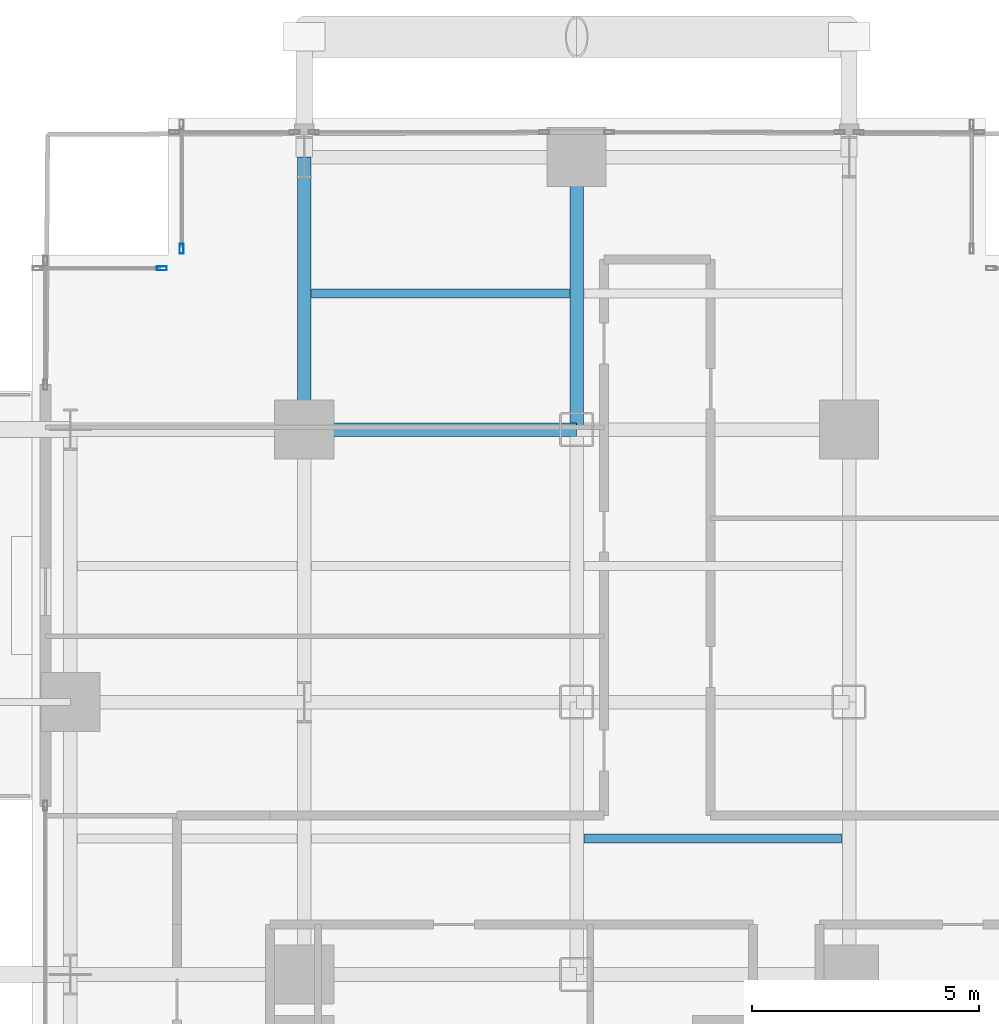
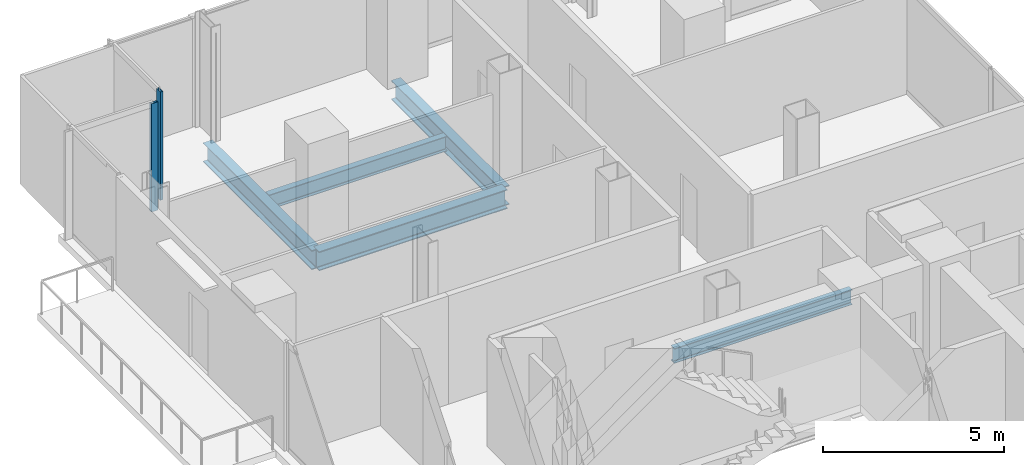
# One storey, part 14 of 27: 5 beams, 2 members, 2 elements without a shape of their own.
"""IFC4 building model written with IfcOpenShell, lengths in metres."""

from ifc_helpers import new_model, si_unit, direction, frame, origin, origin_2d, place, context, subcontext, project, spatial, hollow_rectangle, i_section, extrude, material, layer, layer_set, material_profile, profile_set, type_object, element, aggregate, save


model = new_model("IFC4")

# Units and contexts
model_context = context("Model", 3, precision=1e-05, world=origin(), true_north=direction((0.0, 1.0)))
body_context = subcontext(model_context, "Body", "Model", "MODEL_VIEW")
ifc_project = project(units=[si_unit("LENGTHUNIT", "METRE"), si_unit("AREAUNIT", "SQUARE_METRE"), si_unit("VOLUMEUNIT", "CUBIC_METRE"), si_unit("PLANEANGLEUNIT", "RADIAN"), si_unit("MASSUNIT", "GRAM", prefix="KILO"), si_unit("THERMODYNAMICTEMPERATUREUNIT", "KELVIN"), si_unit("POWERUNIT", "WATT")], contexts=[model_context])

# Site, building, storey
site_placement = place(None, origin())
site = spatial("IfcSite", under=ifc_project, at=site_placement, CompositionType="ELEMENT")
building_placement = place(site_placement, origin())
building = spatial("IfcBuilding", under=site, at=building_placement, Name="Svarakhadi Broadcast Tower", CompositionType="ELEMENT")
storey_placement = place(building_placement, frame((0.0, 0.0, 87.0)))
storey = spatial("IfcBuildingStorey", under=building, at=storey_placement, Name="L20", CompositionType="ELEMENT", Elevation=87.0)

# Beams
ifc_material_1 = material(Name="Steel S355J2 (IS 2062 E350C)", Category="steel")
ifc_material_profile_1 = material_profile(ifc_material_1, i_section(OverallWidth=0.199951171875, OverallDepth=0.5, WebThickness=0.01025390625, FlangeThickness=0.01611328125, FilletRadius=0.02099609375, at=origin_2d()), Name="NPB 500x200x91")
ifc_profile_set_1 = profile_set([ifc_material_profile_1], Name="Steel S355J2 (IS 2062 E350C)")
beam_type_1 = type_object("IfcBeamType", Name="Beam_NPB500", PredefinedType="BEAM", material=ifc_profile_set_1)
for number, where, z_axis, x_axis, name in (
    (1, (6.159912109375, 44.14990234375, -0.5), (1.0, 0.0, 0.0), (0.0, 1.0, 0.0), "L20 Secondary Composite Beam SB012"),
    (2, (12.159912109375, 32.14990234375, -0.5), (1.0, 0.0, 0.0), (0.0, 1.0, 0.0), "L20 Secondary Composite Beam SB016"),
):
    element("IfcBeam", number, at=place(storey_placement, frame(where, z_axis=z_axis, x_axis=x_axis)), inside=storey, type_object=beam_type_1, Name=name, PredefinedType="BEAM", context=body_context, shape_type="SweptSolid", body=[
        extrude(i_section(OverallWidth=0.199951171875, OverallDepth=0.5, WebThickness=0.01025390625, FlangeThickness=0.01611328125, FilletRadius=0.02099609375, at=origin_2d()), origin(), (0.0, 0.0, 1.0), 5.68017578125),
    ])

# Curtain wall, member
ifc_material_2 = material(Name="Anodised Bronze Aluminium AA 6063-T6", Category="aluminium")
ifc_layer = layer(ifc_material_2, 0.219970703125)
ifc_layer_set = layer_set([ifc_layer], Name="Anodised Bronze Aluminium AA 6063-T6")
curtain_wall_type = type_object("IfcCurtainWallType", Name="CW_Sys_02", PredefinedType="NOTDEFINED", material=ifc_layer_set)
curtain_wall_1_placement = place(storey_placement, origin())
curtain_wall_1 = element("IfcCurtainWall", 3, at=curtain_wall_1_placement, inside=storey, type_object=curtain_wall_type, Name="L20 Unitised Facade Curtain Wall 04", PredefinedType="NOTDEFINED")
ifc_material_profile_2 = material_profile(ifc_material_2, hollow_rectangle(XDim=0.0849609375, YDim=0.219970703125, WallThickness=0.006103515625, at=origin_2d()), Name="ALU MULLION 220x85x6")
ifc_profile_set_2 = profile_set([ifc_material_profile_2], Name="Anodised Bronze Aluminium AA 6063-T6")
member_type = type_object("IfcMemberType", Name="CW_Sys_02_Mul", PredefinedType="MULLION", material=ifc_profile_set_2)
member_1_placement = place(storey_placement, frame((2.867431640625, 44.699951171875, 0.0), z_axis=(0.0, 0.0, 1.0), x_axis=(0.0, 1.0, 0.0)))
member_1 = element("IfcMember", 4, at=member_1_placement, type_object=member_type, Name="CW-02 mullion 2", PredefinedType="MULLION", context=body_context, shape_type="SweptSolid", body=[
    extrude(hollow_rectangle(XDim=0.0849609375, YDim=0.219970703125, WallThickness=0.006103515625, at=origin_2d()), origin(), (0.0, 0.0, 1.0), 3.64990234375),
])
aggregate(curtain_wall_1, [member_1])

curtain_wall_2_placement = place(storey_placement, origin())
curtain_wall_2 = element("IfcCurtainWall", 5, at=curtain_wall_2_placement, inside=storey, type_object=curtain_wall_type, Name="L20 Unitised Facade Curtain Wall 05", PredefinedType="NOTDEFINED")
member_2_placement = place(storey_placement, frame((3.300048828125, 45.132568359375, 0.0), z_axis=(0.0, 0.0, 1.0), x_axis=(-1.0, 0.0, 0.0)))
member_2 = element("IfcMember", 6, at=member_2_placement, type_object=member_type, Name="CW-02 mullion 1", PredefinedType="MULLION", context=body_context, shape_type="SweptSolid", body=[
    extrude(hollow_rectangle(XDim=0.0849609375, YDim=0.219970703125, WallThickness=0.006103515625, at=origin_2d()), origin(), (0.0, 0.0, 1.0), 3.64990234375),
])
aggregate(curtain_wall_2, [member_2])

# Beams
ifc_material_profile_3 = material_profile(ifc_material_1, i_section(OverallWidth=0.300048828125, OverallDepth=0.64990234375, WebThickness=0.01611328125, FlangeThickness=0.031005859375, FilletRadius=0.027099609375, at=origin_2d()), Name="WPB 650x300x225")
ifc_profile_set_3 = profile_set([ifc_material_profile_3], Name="Steel S355J2 (IS 2062 E350C)")
beam_type_2 = type_object("IfcBeamType", Name="Girder_WPB650", PredefinedType="USERDEFINED", material=ifc_profile_set_3)
for number, where, z_axis, x_axis, name in (
    (7, (6.0, 41.14990234375, -0.574951171875), (1.0, 0.0, 0.0), (0.0, 1.0, 0.0), "L20 Primary E-W Girder G041"),
    (8, (6.0, 41.14990234375, -0.574951171875), (0.0, 1.0, 0.0), (-1.0, 0.0, 0.0), "L20 Primary N-S Girder G057"),
    (9, (12.0, 41.14990234375, -0.574951171875), (0.0, 1.0, 0.0), (-1.0, 0.0, 0.0), "L20 Primary N-S Girder G063"),
):
    element("IfcBeam", number, at=place(storey_placement, frame(where, z_axis=z_axis, x_axis=x_axis)), inside=storey, type_object=beam_type_2, Name=name, ObjectType="GIRDER", PredefinedType="USERDEFINED", context=body_context, shape_type="SweptSolid", body=[
        extrude(i_section(OverallWidth=0.300048828125, OverallDepth=0.64990234375, WebThickness=0.01611328125, FlangeThickness=0.031005859375, FilletRadius=0.027099609375, at=origin_2d()), origin(), (0.0, 0.0, 1.0), 6.0),
    ])

save(model, "model.ifc")
